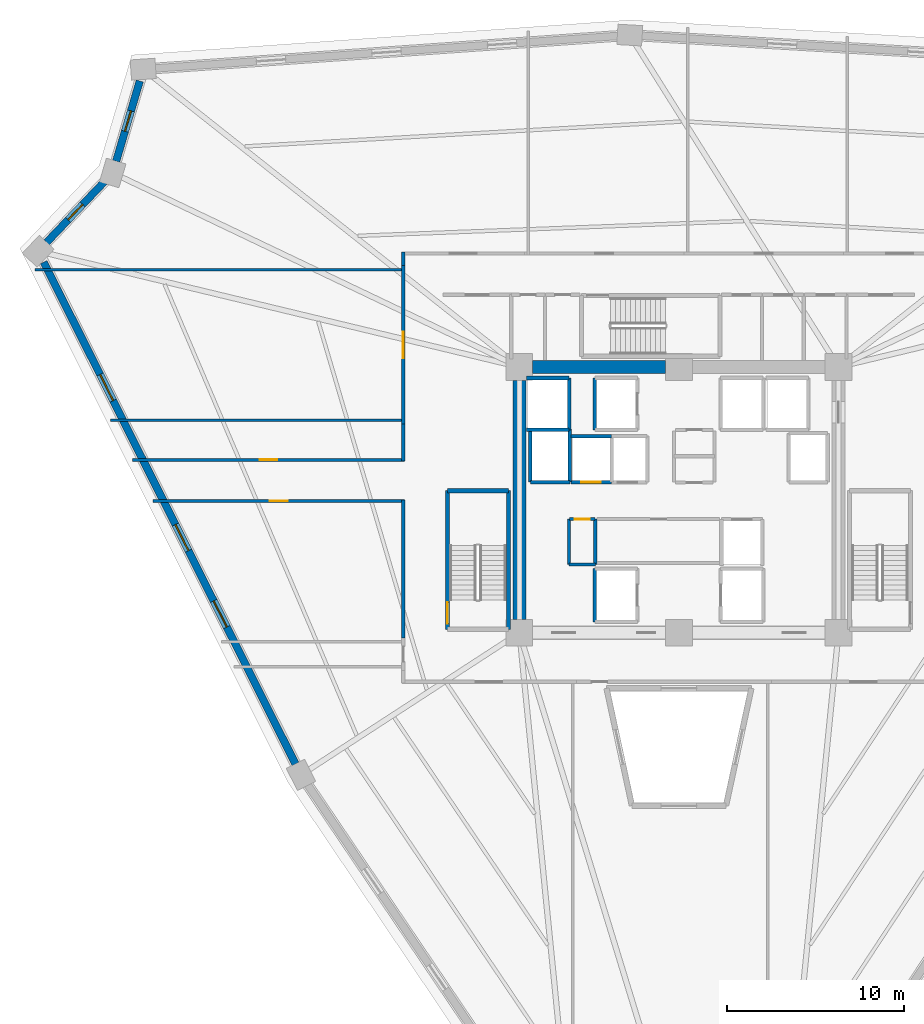
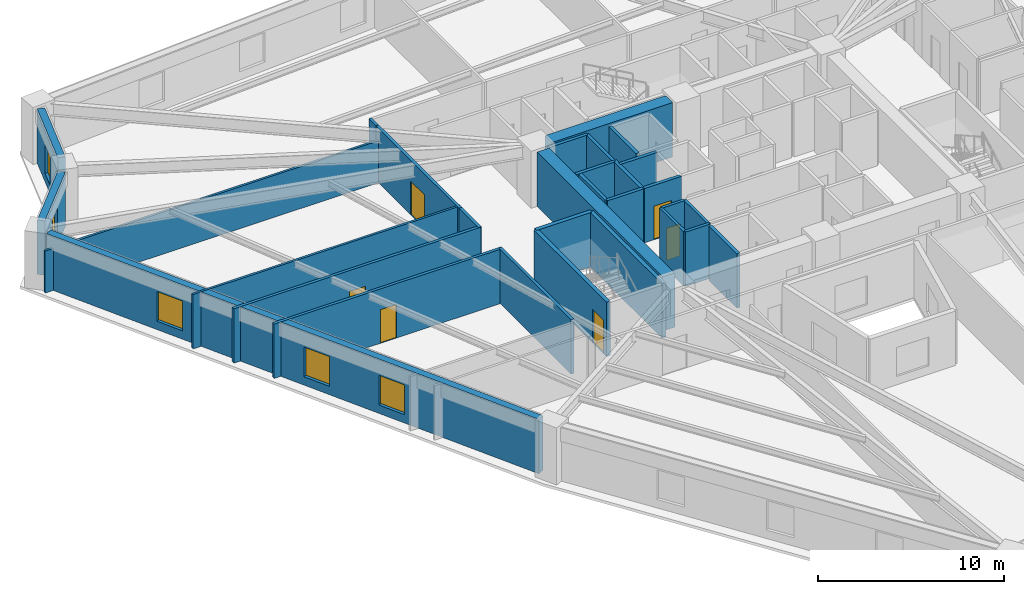
# One storey, part 4 of 10: 30 walls, 6 doors, 5 windows, 11 openings.
"""IFC4 building model written with IfcOpenShell, lengths in metres."""

from ifc_helpers import new_model, si_unit, direction, frame, frame_2d, origin, place, context, subcontext, project, spatial, rectangle, extrude, source, transform, mapped, material, layer, layer_set, type_object, element, fill, save


model = new_model("IFC4")

# Units and contexts
model_context = context("Model", 3, precision=1e-05, world=origin(), true_north=direction((0.0, 1.0)))
body_context = subcontext(model_context, "Body", "Model", "MODEL_VIEW")
ifc_project = project(units=[si_unit("LENGTHUNIT", "METRE"), si_unit("AREAUNIT", "SQUARE_METRE"), si_unit("VOLUMEUNIT", "CUBIC_METRE"), si_unit("PLANEANGLEUNIT", "RADIAN"), si_unit("MASSUNIT", "GRAM", prefix="KILO")], contexts=[model_context])

# Site, building, storey
site_placement = place(None, origin())
site = spatial("IfcSite", under=ifc_project, at=site_placement, CompositionType="ELEMENT")
building_placement = place(site_placement, origin())
building = spatial("IfcBuilding", under=site, at=building_placement, Name="Liaohun Quay Tower", CompositionType="ELEMENT")
storey_placement = place(building_placement, frame((0.0, 0.0, 124.5)))
storey = spatial("IfcBuildingStorey", under=building, at=storey_placement, Name="L32", CompositionType="ELEMENT", Elevation=124.5)

# Walls
ifc_material_1 = material(Name="Concrete C60", Category="concrete")
ifc_layer_1 = layer(ifc_material_1, 0.75, Name="Concrete C60", Category="concrete")
ifc_layer_set_1 = layer_set([ifc_layer_1], Name="Concrete C60")
wall_type_1 = type_object("IfcWallType", Name="WAL-COR-Z2", PredefinedType="SHEAR", material=ifc_layer_set_1)
wall_1_placement = place(storey_placement, frame((51.75, 61.5, 0.0), z_axis=(0.0, 0.0, 1.0), x_axis=(1.0, 0.0, 0.0)))
element("IfcWall", 1, at=wall_1_placement, inside=storey, type_object=wall_type_1, Name="L32 Central Core Shear Wall N-W", PredefinedType="SHEAR", context=body_context, shape_type="SweptSolid", body=[
    extrude(rectangle(XDim=7.5, YDim=0.75, at=frame_2d((3.75, 0.0))), origin(), (0.0, 0.0, 1.0), 3.570068359375),
])
wall_2_placement = place(storey_placement, frame((51.0, 47.25, 0.0), z_axis=(0.0, 0.0, 1.0), x_axis=(0.0, 1.0, 0.0)))
element("IfcWall", 2, at=wall_2_placement, inside=storey, type_object=wall_type_1, Name="L32 Central Core Shear Wall W", PredefinedType="SHEAR", context=body_context, shape_type="SweptSolid", body=[
    extrude(rectangle(XDim=13.5, YDim=0.75, at=frame_2d((6.75, 0.0))), origin(), (0.0, 0.0, 1.0), 3.570068359375),
])

# Wall, opening, window
ifc_material_2 = material(Name="Precast concrete C50 insulated sandwich", Category="concrete")
ifc_layer_2 = layer(ifc_material_2, 0.419921875, Name="Precast concrete C50 insulated sandwich", Category="concrete")
ifc_layer_set_2 = layer_set([ifc_layer_2], Name="Precast concrete C50 insulated sandwich")
wall_type_2 = type_object("IfcWallType", Name="WAL-EXT-Z12", PredefinedType="SOLIDWALL", material=ifc_layer_set_2)
wall_3_placement = place(storey_placement, frame((29.580078125, 77.636962890625, 0.0), z_axis=(0.0, 0.0, 1.0), x_axis=(-0.282785049885, -0.959183306549, 0.0)))
wall_3 = element("IfcWall", 3, at=wall_3_placement, inside=storey, type_object=wall_type_2, Name="L32 Brutalist Precast Pier Wall 08", PredefinedType="SOLIDWALL", context=body_context, shape_type="SweptSolid", body=[
    extrude(rectangle(XDim=4.720703125, YDim=0.419921875, at=frame_2d((2.3603515625, 0.0))), origin(), (0.0, 0.0, 1.0), 3.570068359375),
])
shared_shape_1 = source(origin(), body_context, "Body", "SweptSolid", [
    extrude(rectangle(XDim=1.199951171875, YDim=1.89990234375, at=frame_2d((0.60009765625, 0.949951171875))), frame((0.0, 0.219970703125, 0.0), z_axis=(0.0, -1.0, 0.0), x_axis=(1.0, 0.0, 0.0)), (0.0, 0.0, 1.0), 0.43994140625),
])
opening_1_placement = place(wall_3_placement, frame((1.760009765625, 0.0, 0.550048828125)))
opening_1 = element("IfcOpeningElement", 4, at=opening_1_placement, cuts=wall_3, Name="Opening W05", PredefinedType="OPENING", context=body_context, shape_type="MappedRepresentation", body=[
    mapped(shared_shape_1, transform((0.0, 0.0, 0.0), x_axis=(1.0, 0.0, 0.0), y_axis=(0.0, 1.0, 0.0), z_axis=(0.0, 0.0, 1.0), scale=1.0)),
])
ifc_material_3 = material(Name="Triple Low-E corner notch glazing", Category="glass")
window_type_1 = type_object("IfcWindowType", Name="WIN-NOTCH", PartitioningType="SINGLE_PANEL", PredefinedType="WINDOW", material=ifc_material_3)
shared_shape_2 = source(origin(), body_context, "Body", "SweptSolid", [
    extrude(rectangle(XDim=1.199951171875, YDim=1.89990234375, at=frame_2d((0.60009765625, 0.949951171875))), frame((0.0, 0.030029296875, 0.0), z_axis=(0.0, -1.0, 0.0), x_axis=(1.0, 0.0, 0.0)), (0.0, 0.0, 1.0), 0.06005859375),
])
window_1_placement = place(opening_1_placement, origin())
window_1 = element("IfcWindow", 5, at=window_1_placement, inside=storey, type_object=window_type_1, Name="L32 Corner Notch Window W05-08", OverallHeight=1.89990234375, OverallWidth=1.199951171875, PartitioningType="SINGLE_PANEL", PredefinedType="WINDOW", context=body_context, shape_type="MappedRepresentation", body=[
    mapped(shared_shape_2, transform((0.0, 0.0, 0.0), x_axis=(1.0, 0.0, 0.0), y_axis=(0.0, 1.0, 0.0), z_axis=(0.0, 0.0, 1.0), scale=1.0)),
])
fill(opening_1, window_1)

wall_4_placement = place(storey_placement, frame((27.573974609375, 71.947021484375, 0.0), z_axis=(0.0, 0.0, 1.0), x_axis=(-0.689277430431, -0.72449749751, 0.0)))
wall_4 = element("IfcWall", 6, at=wall_4_placement, inside=storey, type_object=wall_type_2, Name="L32 Brutalist Precast Pier Wall 09", PredefinedType="SOLIDWALL", context=body_context, shape_type="SweptSolid", body=[
    extrude(rectangle(XDim=4.713623046875, YDim=0.419921875, at=frame_2d((2.35693359375, 0.0))), origin(), (0.0, 0.0, 1.0), 3.570068359375),
])
opening_2_placement = place(wall_4_placement, frame((1.757080078125, 0.0, 0.550048828125)))
opening_2 = element("IfcOpeningElement", 7, at=opening_2_placement, cuts=wall_4, Name="Opening W05", PredefinedType="OPENING", context=body_context, shape_type="MappedRepresentation", body=[
    mapped(shared_shape_1, transform((0.0, 0.0, 0.0), x_axis=(1.0, 0.0, 0.0), y_axis=(0.0, 1.0, 0.0), z_axis=(0.0, 0.0, 1.0), scale=1.0)),
])
window_2_placement = place(opening_2_placement, origin())
window_2 = element("IfcWindow", 8, at=window_2_placement, inside=storey, type_object=window_type_1, Name="L32 Corner Notch Window W05-09", OverallHeight=1.89990234375, OverallWidth=1.199951171875, PartitioningType="SINGLE_PANEL", PredefinedType="WINDOW", context=body_context, shape_type="MappedRepresentation", body=[
    mapped(shared_shape_2, transform((0.0, 0.0, 0.0), x_axis=(1.0, 0.0, 0.0), y_axis=(0.0, 1.0, 0.0), z_axis=(0.0, 0.0, 1.0), scale=1.0)),
])
fill(opening_2, window_2)

# Wall, openings, windows
wall_5_placement = place(storey_placement, frame((24.157958984375, 67.4150390625, 0.0), z_axis=(0.0, 0.0, 1.0), x_axis=(0.448489429893, -0.893788135564, 0.0)))
wall_5 = element("IfcWall", 9, at=wall_5_placement, inside=storey, type_object=wall_type_2, Name="L32 Brutalist Precast Pier Wall 10", PredefinedType="SOLIDWALL", context=body_context, shape_type="SweptSolid", body=[
    extrude(rectangle(XDim=31.677490234375, YDim=0.419921875, at=frame_2d((15.8388671875, 0.0))), origin(), (0.0, 0.0, 1.0), 3.570068359375),
])
shared_shape_3 = source(origin(), body_context, "Body", "SweptSolid", [
    extrude(rectangle(XDim=1.64990234375, YDim=1.949951171875, at=frame_2d((0.824951171875, 0.97509765625))), frame((0.0, 0.219970703125, 0.0), z_axis=(0.0, -1.0, 0.0), x_axis=(1.0, 0.0, 0.0)), (0.0, 0.0, 1.0), 0.43994140625),
])
opening_3_placement = place(wall_5_placement, frame((7.093994140625, 0.0, 0.550048828125)))
opening_3 = element("IfcOpeningElement", 10, at=opening_3_placement, cuts=wall_5, Name="Opening W02", PredefinedType="OPENING", context=body_context, shape_type="MappedRepresentation", body=[
    mapped(shared_shape_3, transform((0.0, 0.0, 0.0), x_axis=(1.0, 0.0, 0.0), y_axis=(0.0, 1.0, 0.0), z_axis=(0.0, 0.0, 1.0), scale=1.0)),
])
opening_4_placement = place(wall_5_placement, frame((16.56396484375, 0.0, 0.550048828125)))
opening_4 = element("IfcOpeningElement", 11, at=opening_4_placement, cuts=wall_5, Name="Opening W02", PredefinedType="OPENING", context=body_context, shape_type="MappedRepresentation", body=[
    mapped(shared_shape_3, transform((0.0, 0.0, 0.0), x_axis=(1.0, 0.0, 0.0), y_axis=(0.0, 1.0, 0.0), z_axis=(0.0, 0.0, 1.0), scale=1.0)),
])
opening_5_placement = place(wall_5_placement, frame((21.383056640625, 0.0, 0.550048828125)))
opening_5 = element("IfcOpeningElement", 12, at=opening_5_placement, cuts=wall_5, Name="Opening W02", PredefinedType="OPENING", context=body_context, shape_type="MappedRepresentation", body=[
    mapped(shared_shape_3, transform((0.0, 0.0, 0.0), x_axis=(1.0, 0.0, 0.0), y_axis=(0.0, 1.0, 0.0), z_axis=(0.0, 0.0, 1.0), scale=1.0)),
])
ifc_material_4 = material(Name="Triple Low-E argon glazing in thermally broken aluminium", Category="aluminium")
window_type_2 = type_object("IfcWindowType", Name="WIN-PUN-Z2", PartitioningType="DOUBLE_PANEL_VERTICAL", PredefinedType="WINDOW", material=ifc_material_4)
shared_shape_4 = source(origin(), body_context, "Body", "SweptSolid", [
    extrude(rectangle(XDim=1.64990234375, YDim=1.949951171875, at=frame_2d((0.824951171875, 0.97509765625))), frame((0.0, 0.030029296875, 0.0), z_axis=(0.0, -1.0, 0.0), x_axis=(1.0, 0.0, 0.0)), (0.0, 0.0, 1.0), 0.06005859375),
])
window_3_placement = place(opening_3_placement, origin())
window_3 = element("IfcWindow", 13, at=window_3_placement, inside=storey, type_object=window_type_2, Name="L32 Recessed Cold-Climate Punched Window 10-1", OverallHeight=1.949951171875, OverallWidth=1.64990234375, PartitioningType="DOUBLE_PANEL_VERTICAL", PredefinedType="WINDOW", context=body_context, shape_type="MappedRepresentation", body=[
    mapped(shared_shape_4, transform((0.0, 0.0, 0.0), x_axis=(1.0, 0.0, 0.0), y_axis=(0.0, 1.0, 0.0), z_axis=(0.0, 0.0, 1.0), scale=1.0)),
])
fill(opening_3, window_3)
window_4_placement = place(opening_4_placement, origin())
window_4 = element("IfcWindow", 14, at=window_4_placement, inside=storey, type_object=window_type_2, Name="L32 Recessed Cold-Climate Punched Window 10-2", OverallHeight=1.949951171875, OverallWidth=1.64990234375, PartitioningType="DOUBLE_PANEL_VERTICAL", PredefinedType="WINDOW", context=body_context, shape_type="MappedRepresentation", body=[
    mapped(shared_shape_4, transform((0.0, 0.0, 0.0), x_axis=(1.0, 0.0, 0.0), y_axis=(0.0, 1.0, 0.0), z_axis=(0.0, 0.0, 1.0), scale=1.0)),
])
fill(opening_4, window_4)
window_5_placement = place(opening_5_placement, origin())
window_5 = element("IfcWindow", 15, at=window_5_placement, inside=storey, type_object=window_type_2, Name="L32 Recessed Cold-Climate Punched Window 10-3", OverallHeight=1.949951171875, OverallWidth=1.64990234375, PartitioningType="DOUBLE_PANEL_VERTICAL", PredefinedType="WINDOW", context=body_context, shape_type="MappedRepresentation", body=[
    mapped(shared_shape_4, transform((0.0, 0.0, 0.0), x_axis=(1.0, 0.0, 0.0), y_axis=(0.0, 1.0, 0.0), z_axis=(0.0, 0.0, 1.0), scale=1.0)),
])
fill(opening_5, window_5)

# Wall, opening, door
ifc_material_5 = material(Name="Autoclaved aerated concrete blockwork", Category="masonry")
ifc_layer_3 = layer(ifc_material_5, 0.179931640625, Name="Autoclaved aerated concrete blockwork", Category="masonry")
ifc_layer_set_3 = layer_set([ifc_layer_3], Name="Autoclaved aerated concrete blockwork")
wall_type_3 = type_object("IfcWallType", Name="WAL-PRT-COR", PredefinedType="PARTITIONING", material=ifc_layer_set_3)
wall_6_placement = place(storey_placement, frame((53.820068359375, 52.919921875, 0.0), z_axis=(0.0, 0.0, 1.0), x_axis=(1.0, 0.0, 0.0)))
wall_6 = element("IfcWall", 16, at=wall_6_placement, inside=storey, type_object=wall_type_3, Name="L32 Interior Partition Wall 004", PredefinedType="PARTITIONING", context=body_context, shape_type="SweptSolid", body=[
    extrude(rectangle(XDim=1.429931640625, YDim=0.179931640625, at=frame_2d((0.71484375, 0.0))), origin(), (0.0, 0.0, 1.0), 3.570068359375),
])
shared_shape_5 = source(origin(), body_context, "Body", "SweptSolid", [
    extrude(rectangle(XDim=0.85009765625, YDim=2.10009765625, at=frame_2d((0.425048828125, 1.050048828125))), frame((0.0, 0.099853515625, 0.0), z_axis=(0.0, -1.0, 0.0), x_axis=(1.0, 0.0, 0.0)), (0.0, 0.0, 1.0), 0.199951171875),
])
opening_6_placement = place(wall_6_placement, frame((0.2900390625, 0.0, 0.0)))
opening_6 = element("IfcOpeningElement", 17, at=opening_6_placement, cuts=wall_6, Name="Opening AD1", PredefinedType="OPENING", context=body_context, shape_type="MappedRepresentation", body=[
    mapped(shared_shape_5, transform((0.0, 0.0, 0.0), x_axis=(1.0, 0.0, 0.0), y_axis=(0.0, 1.0, 0.0), z_axis=(0.0, 0.0, 1.0), scale=1.0)),
])
ifc_material_6 = material(Name="Steel riser inspection fire door", Category="steel")
door_type_1 = type_object("IfcDoorType", Name="DOR-SHF-850", OperationType="NOTDEFINED", PredefinedType="DOOR", material=ifc_material_6)
shared_shape_6 = source(origin(), body_context, "Body", "SweptSolid", [
    extrude(rectangle(XDim=0.85009765625, YDim=2.10009765625, at=frame_2d((0.425048828125, 1.050048828125))), frame((0.0, 0.02490234375, 0.0), z_axis=(0.0, -1.0, 0.0), x_axis=(1.0, 0.0, 0.0)), (0.0, 0.0, 1.0), 0.050048828125),
])
door_1_placement = place(opening_6_placement, origin())
door_1 = element("IfcDoor", 18, at=door_1_placement, inside=storey, type_object=door_type_1, Name="L32 Core Fire Hose and Riser Closet Door", OperationType="SINGLE_SWING_LEFT", OverallHeight=2.10009765625, OverallWidth=0.85009765625, PredefinedType="DOOR", context=body_context, shape_type="MappedRepresentation", body=[
    mapped(shared_shape_6, transform((0.0, 0.0, 0.0), x_axis=(1.0, 0.0, 0.0), y_axis=(0.0, 1.0, 0.0), z_axis=(0.0, 0.0, 1.0), scale=1.0)),
])
fill(opening_6, door_1)

wall_7_placement = place(storey_placement, frame((44.43994140625, 58.284912109375, 0.0), z_axis=(0.0, 0.0, 1.0), x_axis=(0.0, 1.0, 0.0)))
wall_7 = element("IfcWall", 19, at=wall_7_placement, inside=storey, type_object=wall_type_3, Name="L32 Interior Partition Wall 020", PredefinedType="PARTITIONING", context=body_context, shape_type="SweptSolid", body=[
    extrude(rectangle(XDim=8.93017578125, YDim=0.179931640625, at=frame_2d((4.465087890625, 0.0))), origin(), (0.0, 0.0, 1.0), 3.570068359375),
])
shared_shape_7 = source(origin(), body_context, "Body", "SweptSolid", [
    extrude(rectangle(XDim=1.5, YDim=2.199951171875, at=frame_2d((0.75, 1.10009765625))), frame((0.0, 0.099853515625, 0.0), z_axis=(0.0, -1.0, 0.0), x_axis=(1.0, 0.0, 0.0)), (0.0, 0.0, 1.0), 0.199951171875),
])
opening_7_placement = place(wall_7_placement, frame((3.715087890625, 0.0, 0.0)))
opening_7 = element("IfcOpeningElement", 20, at=opening_7_placement, cuts=wall_7, Name="Opening OD2", PredefinedType="OPENING", context=body_context, shape_type="MappedRepresentation", body=[
    mapped(shared_shape_7, transform((0.0, 0.0, 0.0), x_axis=(1.0, 0.0, 0.0), y_axis=(0.0, 1.0, 0.0), z_axis=(0.0, 0.0, 1.0), scale=1.0)),
])
ifc_material_7 = material(Name="Acoustic oak veneer double door")
door_type_2 = type_object("IfcDoorType", Name="DOR-OFF-1500", OperationType="DOUBLE_DOOR_SINGLE_SWING", PredefinedType="DOOR", material=ifc_material_7)
shared_shape_8 = source(origin(), body_context, "Body", "SweptSolid", [
    extrude(rectangle(XDim=1.5, YDim=2.199951171875, at=frame_2d((0.75, 1.10009765625))), frame((0.0, 0.02490234375, 0.0), z_axis=(0.0, -1.0, 0.0), x_axis=(1.0, 0.0, 0.0)), (0.0, 0.0, 1.0), 0.050048828125),
])
door_2_placement = place(opening_7_placement, origin())
door_2 = element("IfcDoor", 21, at=door_2_placement, inside=storey, type_object=door_type_2, Name="L32 Staff Tea Kitchen and Pantry 06 Door", OperationType="DOUBLE_DOOR_SINGLE_SWING", OverallHeight=2.199951171875, OverallWidth=1.5, PredefinedType="DOOR", context=body_context, shape_type="MappedRepresentation", body=[
    mapped(shared_shape_8, transform((0.0, 0.0, 0.0), x_axis=(1.0, 0.0, 0.0), y_axis=(0.0, 1.0, 0.0), z_axis=(0.0, 0.0, 1.0), scale=1.0)),
])
fill(opening_7, door_2)

wall_8_placement = place(storey_placement, frame((29.159912109375, 56.260009765625, 0.0), z_axis=(0.0, 0.0, 1.0), x_axis=(1.0, 0.0, 0.0)))
wall_8 = element("IfcWall", 22, at=wall_8_placement, inside=storey, type_object=wall_type_3, Name="L32 Interior Partition Wall 021", PredefinedType="PARTITIONING", context=body_context, shape_type="SweptSolid", body=[
    extrude(rectangle(XDim=15.35009765625, YDim=0.179931640625, at=frame_2d((7.675048828125, 0.0))), origin(), (0.0, 0.0, 1.0), 3.570068359375),
])
shared_shape_9 = source(origin(), body_context, "Body", "SweptSolid", [
    extrude(rectangle(XDim=1.0, YDim=2.199951171875, at=frame_2d((0.5, 1.10009765625))), frame((0.0, 0.099853515625, 0.0), z_axis=(0.0, -1.0, 0.0), x_axis=(1.0, 0.0, 0.0)), (0.0, 0.0, 1.0), 0.199951171875),
])
opening_8_placement = place(wall_8_placement, frame((7.175048828125, 0.0, 0.0)))
opening_8 = element("IfcOpeningElement", 23, at=opening_8_placement, cuts=wall_8, Name="Opening OD1", PredefinedType="OPENING", context=body_context, shape_type="MappedRepresentation", body=[
    mapped(shared_shape_9, transform((0.0, 0.0, 0.0), x_axis=(1.0, 0.0, 0.0), y_axis=(0.0, 1.0, 0.0), z_axis=(0.0, 0.0, 1.0), scale=1.0)),
])
ifc_material_8 = material(Name="Solid-core oak veneer timber leaf in steel frame", Category="steel")
door_type_3 = type_object("IfcDoorType", Name="DOR-OFF-1000", OperationType="NOTDEFINED", PredefinedType="DOOR", material=ifc_material_8)
shared_shape_10 = source(origin(), body_context, "Body", "SweptSolid", [
    extrude(rectangle(XDim=1.0, YDim=2.199951171875, at=frame_2d((0.5, 1.10009765625))), frame((0.0, 0.02490234375, 0.0), z_axis=(0.0, -1.0, 0.0), x_axis=(1.0, 0.0, 0.0)), (0.0, 0.0, 1.0), 0.050048828125),
])
door_3_placement = place(opening_8_placement, origin())
door_3 = element("IfcDoor", 24, at=door_3_placement, inside=storey, type_object=door_type_3, Name="L32 Technical Reference Library 07 Door", OperationType="SINGLE_SWING_RIGHT", OverallHeight=2.199951171875, OverallWidth=1.0, PredefinedType="DOOR", context=body_context, shape_type="MappedRepresentation", body=[
    mapped(shared_shape_10, transform((0.0, 0.0, 0.0), x_axis=(1.0, 0.0, 0.0), y_axis=(0.0, 1.0, 0.0), z_axis=(0.0, 0.0, 1.0), scale=1.0)),
])
fill(opening_8, door_3)

wall_9_placement = place(storey_placement, frame((44.510009765625, 53.93994140625, 0.0), z_axis=(0.0, 0.0, 1.0), x_axis=(-1.0, 0.0, 0.0)))
wall_9 = element("IfcWall", 25, at=wall_9_placement, inside=storey, type_object=wall_type_3, Name="L32 Interior Partition Wall 022", PredefinedType="PARTITIONING", context=body_context, shape_type="SweptSolid", body=[
    extrude(rectangle(XDim=14.18603515625, YDim=0.179931640625, at=frame_2d((7.093017578125, 0.0))), origin(), (0.0, 0.0, 1.0), 3.570068359375),
])
opening_9_placement = place(wall_9_placement, frame((6.593017578125, 0.0, 0.0)))
opening_9 = element("IfcOpeningElement", 26, at=opening_9_placement, cuts=wall_9, Name="Opening OD1", PredefinedType="OPENING", context=body_context, shape_type="MappedRepresentation", body=[
    mapped(shared_shape_9, transform((0.0, 0.0, 0.0), x_axis=(1.0, 0.0, 0.0), y_axis=(0.0, 1.0, 0.0), z_axis=(0.0, 0.0, 1.0), scale=1.0)),
])
door_4_placement = place(opening_9_placement, origin())
door_4 = element("IfcDoor", 27, at=door_4_placement, inside=storey, type_object=door_type_3, Name="L32 Digital Prototyping Laboratory 08 Door", OperationType="SINGLE_SWING_LEFT", OverallHeight=2.199951171875, OverallWidth=1.0, PredefinedType="DOOR", context=body_context, shape_type="MappedRepresentation", body=[
    mapped(shared_shape_10, transform((0.0, 0.0, 0.0), x_axis=(1.0, 0.0, 0.0), y_axis=(0.0, 1.0, 0.0), z_axis=(0.0, 0.0, 1.0), scale=1.0)),
])
fill(opening_9, door_4)

# Walls
wall_10_placement = place(storey_placement, frame((53.7900390625, 50.35009765625, 0.0), z_axis=(0.0, 0.0, 1.0), x_axis=(0.0, 1.0, 0.0)))
element("IfcWall", 28, at=wall_10_placement, inside=storey, type_object=wall_type_3, Name="L32 Interior Partition Wall 031", PredefinedType="PARTITIONING", context=body_context, shape_type="SweptSolid", body=[
    extrude(rectangle(XDim=2.56982421875, YDim=0.179931640625, at=frame_2d((1.284912109375, 0.0))), origin(), (0.0, 0.0, 1.0), 3.570068359375),
])
wall_11_placement = place(storey_placement, frame((53.7900390625, 50.35009765625, 0.0), z_axis=(0.0, 0.0, 1.0), x_axis=(1.0, 0.0, 0.0)))
element("IfcWall", 29, at=wall_11_placement, inside=storey, type_object=wall_type_3, Name="L32 Interior Partition Wall 032", PredefinedType="PARTITIONING", context=body_context, shape_type="SweptSolid", body=[
    extrude(rectangle(XDim=1.489990234375, YDim=0.179931640625, at=frame_2d((0.7451171875, 0.0))), origin(), (0.0, 0.0, 1.0), 3.570068359375),
])
wall_12_placement = place(storey_placement, frame((55.280029296875, 50.35009765625, 0.0), z_axis=(0.0, 0.0, 1.0), x_axis=(0.0, 1.0, 0.0)))
element("IfcWall", 30, at=wall_12_placement, inside=storey, type_object=wall_type_3, Name="L32 Interior Partition Wall 033", PredefinedType="PARTITIONING", context=body_context, shape_type="SweptSolid", body=[
    extrude(rectangle(XDim=2.56982421875, YDim=0.179931640625, at=frame_2d((1.284912109375, 0.0))), origin(), (0.0, 0.0, 1.0), 3.570068359375),
])
wall_13_placement = place(storey_placement, frame((44.43994140625, 67.215087890625, 0.0), z_axis=(0.0, 0.0, 1.0), x_axis=(0.0, 1.0, 0.0)))
element("IfcWall", 31, at=wall_13_placement, inside=storey, type_object=wall_type_3, Name="L32 Interior Partition Wall 046", PredefinedType="PARTITIONING", context=body_context, shape_type="SweptSolid", body=[
    extrude(rectangle(XDim=0.764892578125, YDim=0.179931640625, at=frame_2d((0.38232421875, 0.0))), origin(), (0.0, 0.0, 1.0), 3.570068359375),
])
wall_14_placement = place(storey_placement, frame((44.43994140625, 56.18994140625, 0.0), z_axis=(0.0, 0.0, 1.0), x_axis=(0.0, 1.0, 0.0)))
element("IfcWall", 32, at=wall_14_placement, inside=storey, type_object=wall_type_3, Name="L32 Interior Partition Wall 047", PredefinedType="PARTITIONING", context=body_context, shape_type="SweptSolid", body=[
    extrude(rectangle(XDim=2.094970703125, YDim=0.179931640625, at=frame_2d((1.04736328125, 0.0))), origin(), (0.0, 0.0, 1.0), 3.570068359375),
])
wall_15_placement = place(storey_placement, frame((44.43994140625, 46.215087890625, 0.0), z_axis=(0.0, 0.0, 1.0), x_axis=(0.0, 1.0, 0.0)))
element("IfcWall", 33, at=wall_15_placement, inside=storey, type_object=wall_type_3, Name="L32 Interior Partition Wall 048", PredefinedType="PARTITIONING", context=body_context, shape_type="SweptSolid", body=[
    extrude(rectangle(XDim=7.794921875, YDim=0.179931640625, at=frame_2d((3.8974609375, 0.0))), origin(), (0.0, 0.0, 1.0), 3.570068359375),
])
ifc_material_9 = material(Name="Gypsum board on twin steel studs", Category="steel")
ifc_layer_4 = layer(ifc_material_9, 0.139892578125, Name="Gypsum board on twin steel studs", Category="steel")
ifc_layer_set_4 = layer_set([ifc_layer_4], Name="Gypsum board on twin steel studs")
wall_type_4 = type_object("IfcWallType", Name="WAL-PRT-OFF", PredefinedType="PARTITIONING", material=ifc_layer_set_4)
wall_16_placement = place(storey_placement, frame((44.5400390625, 58.5, 0.0), z_axis=(0.0, 0.0, 1.0), x_axis=(-1.0, 0.0, 0.0)))
element("IfcWall", 34, at=wall_16_placement, inside=storey, type_object=wall_type_4, Name="L32 Interior Partition Wall 054", PredefinedType="PARTITIONING", context=body_context, shape_type="SweptSolid", body=[
    extrude(rectangle(XDim=16.613037109375, YDim=0.139892578125, at=frame_2d((8.306640625, 0.0))), origin(), (0.0, 0.0, 1.0), 3.570068359375),
])
wall_17_placement = place(storey_placement, frame((44.5400390625, 67.0, 0.0), z_axis=(0.0, 0.0, 1.0), x_axis=(-1.0, 0.0, 0.0)))
element("IfcWall", 35, at=wall_17_placement, inside=storey, type_object=wall_type_4, Name="L32 Interior Partition Wall 055", PredefinedType="PARTITIONING", context=body_context, shape_type="SweptSolid", body=[
    extrude(rectangle(XDim=20.8779296875, YDim=0.139892578125, at=frame_2d((10.43896484375, 0.0))), origin(), (0.0, 0.0, 1.0), 2.7548828125),
])
ifc_material_10 = material(Name="Concrete C50", Category="concrete")
ifc_layer_5 = layer(ifc_material_10, 0.239990234375, Name="Concrete C50", Category="concrete")
ifc_layer_set_5 = layer_set([ifc_layer_5], Name="Concrete C50")
wall_type_5 = type_object("IfcWallType", Name="WAL-SHF-200", PredefinedType="SOLIDWALL", material=ifc_layer_set_5)
wall_18_placement = place(storey_placement, frame((50.3798828125, 46.699951171875, 0.0), z_axis=(0.0, 0.0, 1.0), x_axis=(0.0, 1.0, 0.0)))
element("IfcWall", 36, at=wall_18_placement, inside=storey, type_object=wall_type_5, Name="L32 Stairwell ST-1 Structural Core Wall E", PredefinedType="SOLIDWALL", context=body_context, shape_type="SweptSolid", body=[
    extrude(rectangle(XDim=7.820068359375, YDim=0.239990234375, at=frame_2d((3.91015625, 0.0))), origin(), (0.0, 0.0, 1.0), 3.570068359375),
])
wall_19_placement = place(storey_placement, frame((50.3798828125, 54.52001953125, 0.0), z_axis=(0.0, 0.0, 1.0), x_axis=(-1.0, 0.0, 0.0)))
element("IfcWall", 37, at=wall_19_placement, inside=storey, type_object=wall_type_5, Name="L32 Stairwell ST-1 Structural Core Wall N", PredefinedType="SOLIDWALL", context=body_context, shape_type="SweptSolid", body=[
    extrude(rectangle(XDim=3.43994140625, YDim=0.239990234375, at=frame_2d((1.719970703125, 0.0))), origin(), (0.0, 0.0, 1.0), 3.570068359375),
])

# Wall, opening, door
wall_20_placement = place(storey_placement, frame((46.93994140625, 54.52001953125, 0.0), z_axis=(0.0, 0.0, 1.0), x_axis=(0.0, -1.0, 0.0)))
wall_20 = element("IfcWall", 38, at=wall_20_placement, inside=storey, type_object=wall_type_5, Name="L32 Stairwell ST-1 Structural Core Wall W", PredefinedType="SOLIDWALL", context=body_context, shape_type="SweptSolid", body=[
    extrude(rectangle(XDim=7.820068359375, YDim=0.239990234375, at=frame_2d((3.91015625, 0.0))), origin(), (0.0, 0.0, 1.0), 3.570068359375),
])
shared_shape_11 = source(origin(), body_context, "Body", "SweptSolid", [
    extrude(rectangle(XDim=1.199951171875, YDim=2.199951171875, at=frame_2d((0.60009765625, 1.10009765625))), frame((0.0, 0.1298828125, 0.0), z_axis=(0.0, -1.0, 0.0), x_axis=(1.0, 0.0, 0.0)), (0.0, 0.0, 1.0), 0.260009765625),
])
opening_10_placement = place(wall_20_placement, frame((6.300048828125, 0.0, 0.0)))
opening_10 = element("IfcOpeningElement", 39, at=opening_10_placement, cuts=wall_20, Name="Opening SD1", PredefinedType="OPENING", context=body_context, shape_type="MappedRepresentation", body=[
    mapped(shared_shape_11, transform((0.0, 0.0, 0.0), x_axis=(1.0, 0.0, 0.0), y_axis=(0.0, 1.0, 0.0), z_axis=(0.0, 0.0, 1.0), scale=1.0)),
])
ifc_material_11 = material(Name="Galvanised steel fire door", Category="steel")
door_type_4 = type_object("IfcDoorType", Name="DOR-STR-1200", OperationType="NOTDEFINED", PredefinedType="DOOR", material=ifc_material_11)
shared_shape_12 = source(origin(), body_context, "Body", "SweptSolid", [
    extrude(rectangle(XDim=1.199951171875, YDim=2.199951171875, at=frame_2d((0.60009765625, 1.10009765625))), frame((0.0, 0.02490234375, 0.0), z_axis=(0.0, -1.0, 0.0), x_axis=(1.0, 0.0, 0.0)), (0.0, 0.0, 1.0), 0.050048828125),
])
door_5_placement = place(opening_10_placement, origin())
door_5 = element("IfcDoor", 40, at=door_5_placement, inside=storey, type_object=door_type_4, Name="L32 Protected Stair ST-1 Fire Door", OperationType="SINGLE_SWING_LEFT", OverallHeight=2.199951171875, OverallWidth=1.199951171875, PredefinedType="DOOR", context=body_context, shape_type="MappedRepresentation", body=[
    mapped(shared_shape_12, transform((0.0, 0.0, 0.0), x_axis=(1.0, 0.0, 0.0), y_axis=(0.0, 1.0, 0.0), z_axis=(0.0, 0.0, 1.0), scale=1.0)),
])
fill(opening_10, door_5)

# Walls
wall_21_placement = place(storey_placement, frame((55.25, 50.1201171875, 0.0), z_axis=(0.0, 0.0, 1.0), x_axis=(0.0, -1.0, 0.0)))
element("IfcWall", 41, at=wall_21_placement, inside=storey, type_object=wall_type_5, Name="L32 Lift FF-01 Hoistway Wall W", PredefinedType="SOLIDWALL", context=body_context, shape_type="SweptSolid", body=[
    extrude(rectangle(XDim=3.0, YDim=0.199951171875, at=frame_2d((1.5, 0.0))), origin(), (0.0, 0.0, 1.0), 3.570068359375),
])
wall_22_placement = place(storey_placement, frame((55.25, 60.8798828125, 0.0), z_axis=(0.0, 0.0, 1.0), x_axis=(0.0, -1.0, 0.0)))
element("IfcWall", 42, at=wall_22_placement, inside=storey, type_object=wall_type_5, Name="L32 Lift FF-03 Hoistway Wall W", PredefinedType="SOLIDWALL", context=body_context, shape_type="SweptSolid", body=[
    extrude(rectangle(XDim=2.929931640625, YDim=0.199951171875, at=frame_2d((1.46484375, 0.0))), origin(), (0.0, 0.0, 1.0), 3.570068359375),
])
wall_23_placement = place(storey_placement, frame((51.39990234375, 57.949951171875, 0.0), z_axis=(0.0, 0.0, 1.0), x_axis=(1.0, 0.0, 0.0)))
element("IfcWall", 43, at=wall_23_placement, inside=storey, type_object=wall_type_5, Name="L32 Lift SH-01 Hoistway Wall S", PredefinedType="SOLIDWALL", context=body_context, shape_type="SweptSolid", body=[
    extrude(rectangle(XDim=2.400146484375, YDim=0.199951171875, at=frame_2d((1.2001953125, 0.0))), origin(), (0.0, 0.0, 1.0), 3.570068359375),
])
wall_24_placement = place(storey_placement, frame((53.800048828125, 57.949951171875, 0.0), z_axis=(0.0, 0.0, 1.0), x_axis=(0.0, 1.0, 0.0)))
element("IfcWall", 44, at=wall_24_placement, inside=storey, type_object=wall_type_5, Name="L32 Lift SH-01 Hoistway Wall E", PredefinedType="SOLIDWALL", context=body_context, shape_type="SweptSolid", body=[
    extrude(rectangle(XDim=2.929931640625, YDim=0.199951171875, at=frame_2d((1.46484375, 0.0))), origin(), (0.0, 0.0, 1.0), 3.570068359375),
])
wall_25_placement = place(storey_placement, frame((53.800048828125, 60.8798828125, 0.0), z_axis=(0.0, 0.0, 1.0), x_axis=(-1.0, 0.0, 0.0)))
element("IfcWall", 45, at=wall_25_placement, inside=storey, type_object=wall_type_5, Name="L32 Lift SH-01 Hoistway Wall N", PredefinedType="SOLIDWALL", context=body_context, shape_type="SweptSolid", body=[
    extrude(rectangle(XDim=2.400146484375, YDim=0.199951171875, at=frame_2d((1.2001953125, 0.0))), origin(), (0.0, 0.0, 1.0), 3.570068359375),
])
wall_26_placement = place(storey_placement, frame((51.6201171875, 55.0, 0.0), z_axis=(0.0, 0.0, 1.0), x_axis=(1.0, 0.0, 0.0)))
element("IfcWall", 46, at=wall_26_placement, inside=storey, type_object=wall_type_5, Name="L32 Lift SH-02 Hoistway Wall S", PredefinedType="SOLIDWALL", context=body_context, shape_type="SweptSolid", body=[
    extrude(rectangle(XDim=2.22998046875, YDim=0.199951171875, at=frame_2d((1.114990234375, 0.0))), origin(), (0.0, 0.0, 1.0), 3.570068359375),
])
for number, where, z_axis, x_axis, name in (
    (47, (53.85009765625, 55.0, 0.0), (0.0, 0.0, 1.0), (0.0, 1.0, 0.0), "L32 Lift SH-02 Hoistway Wall E"),
    (48, (51.6201171875, 58.0, 0.0), (0.0, 0.0, 1.0), (0.0, -1.0, 0.0), "L32 Lift SH-02 Hoistway Wall W"),
):
    element("IfcWall", number, at=place(storey_placement, frame(where, z_axis=z_axis, x_axis=x_axis)), inside=storey, type_object=wall_type_5, Name=name, PredefinedType="SOLIDWALL", context=body_context, shape_type="SweptSolid", body=[
        extrude(rectangle(XDim=3.0, YDim=0.199951171875, at=frame_2d((1.5, 0.0))), origin(), (0.0, 0.0, 1.0), 3.570068359375),
    ])

# Wall, opening, door
wall_27_placement = place(storey_placement, frame((53.89990234375, 55.0, 0.0), z_axis=(0.0, 0.0, 1.0), x_axis=(1.0, 0.0, 0.0)))
wall_27 = element("IfcWall", 49, at=wall_27_placement, inside=storey, type_object=wall_type_5, Name="L32 Lift PL-2B Hoistway Wall S", PredefinedType="SOLIDWALL", context=body_context, shape_type="SweptSolid", body=[
    extrude(rectangle(XDim=2.300048828125, YDim=0.199951171875, at=frame_2d((1.14990234375, 0.0))), origin(), (0.0, 0.0, 1.0), 3.570068359375),
])
shared_shape_13 = source(origin(), body_context, "Body", "SweptSolid", [
    extrude(rectangle(XDim=1.10009765625, YDim=2.199951171875, at=frame_2d((0.550048828125, 1.10009765625))), frame((0.0, 0.10986328125, 0.0), z_axis=(0.0, -1.0, 0.0), x_axis=(1.0, 0.0, 0.0)), (0.0, 0.0, 1.0), 0.219970703125),
])
opening_11_placement = place(wall_27_placement, frame((0.60009765625, 0.0, 0.0)))
opening_11 = element("IfcOpeningElement", 50, at=opening_11_placement, cuts=wall_27, Name="Opening LD1", PredefinedType="OPENING", context=body_context, shape_type="MappedRepresentation", body=[
    mapped(shared_shape_13, transform((0.0, 0.0, 0.0), x_axis=(1.0, 0.0, 0.0), y_axis=(0.0, 1.0, 0.0), z_axis=(0.0, 0.0, 1.0), scale=1.0)),
])
ifc_material_12 = material(Name="Brushed stainless steel landing door", Category="steel")
door_type_5 = type_object("IfcDoorType", Name="DOR-LFT-1100", OperationType="SLIDING_TO_LEFT", PredefinedType="DOOR", material=ifc_material_12)
shared_shape_14 = source(origin(), body_context, "Body", "SweptSolid", [
    extrude(rectangle(XDim=1.10009765625, YDim=2.199951171875, at=frame_2d((0.550048828125, 1.10009765625))), frame((0.0, 0.02490234375, 0.0), z_axis=(0.0, -1.0, 0.0), x_axis=(1.0, 0.0, 0.0)), (0.0, 0.0, 1.0), 0.050048828125),
])
door_6_placement = place(opening_11_placement, origin())
door_6 = element("IfcDoor", 51, at=door_6_placement, inside=storey, type_object=door_type_5, Name="L32 Lift PL-2B Sliding Landing Door", OperationType="SLIDING_TO_LEFT", OverallHeight=2.199951171875, OverallWidth=1.10009765625, PredefinedType="DOOR", context=body_context, shape_type="MappedRepresentation", body=[
    mapped(shared_shape_14, transform((0.0, 0.0, 0.0), x_axis=(1.0, 0.0, 0.0), y_axis=(0.0, 1.0, 0.0), z_axis=(0.0, 0.0, 1.0), scale=1.0)),
])
fill(opening_11, door_6)

# Wall
wall_28_placement = place(storey_placement, frame((56.199951171875, 57.60009765625, 0.0), z_axis=(0.0, 0.0, 1.0), x_axis=(-1.0, 0.0, 0.0)))
element("IfcWall", 52, at=wall_28_placement, inside=storey, type_object=wall_type_5, Name="L32 Lift PL-2B Hoistway Wall N", PredefinedType="SOLIDWALL", context=body_context, shape_type="SweptSolid", body=[
    extrude(rectangle(XDim=2.300048828125, YDim=0.199951171875, at=frame_2d((1.14990234375, 0.0))), origin(), (0.0, 0.0, 1.0), 3.570068359375),
])

save(model, "model.ifc")
